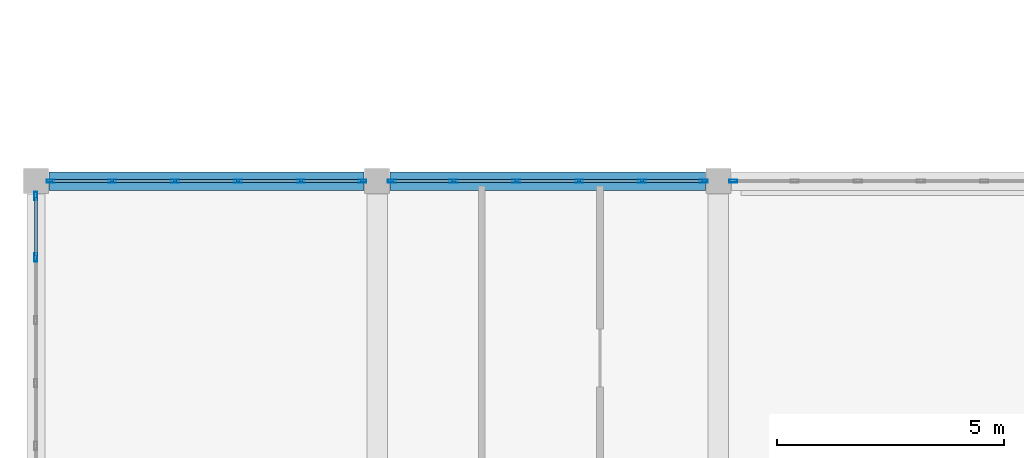
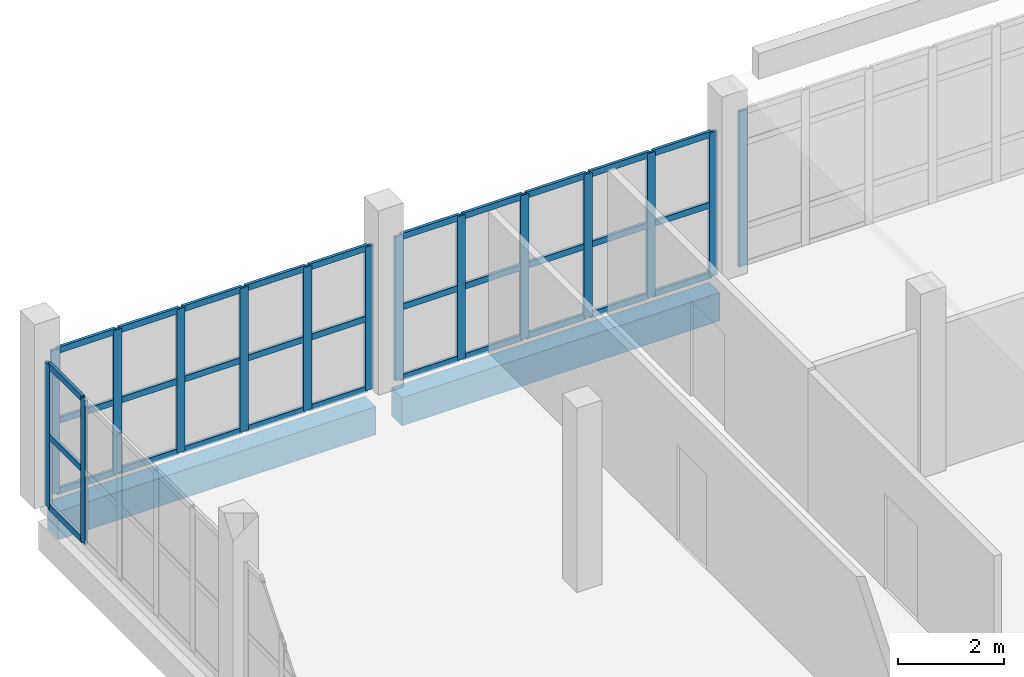
# One storey, part 67 of 164: 48 members, 2 beams, 4 elements without a shape of their own.
"""IFC4 building model written with IfcOpenShell, lengths in metres."""

import ifcopenshell
import ifcopenshell.guid

model = None  # the IFC model being written
_history = None  # IfcOwnerHistory: only IFC2X3 demands one
_inside = {}  # id of a spatial element -> (the spatial element, [elements in it])
_under = {}  # id of a project, library or spatial element -> (it, [spatial elements below it])
_declared = {}  # id of a project -> (the project, [libraries it declares])
_typed = {}  # id of a type object -> (the type object, [elements of that type])
_made_of = {}  # id of a material, layer set ... -> (it, [elements and type objects made of it])


def new_model(schema):
    """Start an empty IFC model of exactly this schema.

    Asked for "IFC4X3", IfcOpenShell would pick the latest addendum, in which some entities
    have other attributes; the version numbers below select the first issue.
    IFC2X3 requires an IfcOwnerHistory on every rooted entity: one is made here for all.
    """
    global model, _history
    if schema == "IFC4X3":
        model = ifcopenshell.file(schema_version=(4, 3, 0, 0))
    else:
        model = ifcopenshell.file(schema=schema)
    _inside.clear()
    _under.clear()
    _declared.clear()
    _typed.clear()
    _made_of.clear()
    _history = None
    if model.schema == "IFC2X3":
        org = make("IfcOrganization", Name="unknown")
        user = make(
            "IfcPersonAndOrganization",
            ThePerson=make("IfcPerson", FamilyName="unknown"),
            TheOrganization=org,
        )
        app = make(
            "IfcApplication",
            ApplicationDeveloper=org,
            Version="unknown",
            ApplicationFullName="unknown",
            ApplicationIdentifier="unknown",
        )
        _history = make(
            "IfcOwnerHistory",
            OwningUser=user,
            OwningApplication=app,
            ChangeAction="ADDED",
            CreationDate=0,
        )
    return model


def make(cls, **values):
    """One entity of the class cls with the attributes given. An attribute that is None is left unset."""
    return model.create_entity(
        cls, **{name: value for name, value in values.items() if value is not None}
    )


def rooted(cls, **values):
    """An entity with a GlobalId (a new one), such as an element, a storey or a relation."""
    return make(cls, GlobalId=ifcopenshell.guid.new(), OwnerHistory=_history, **values)


def si_unit(unit_type, name, prefix=None):
    """IfcSIUnit, for example si_unit("LENGTHUNIT", "METRE", prefix="MILLI")."""
    return make("IfcSIUnit", UnitType=unit_type, Prefix=prefix, Name=name)


def assignment(units):
    """IfcUnitAssignment: the units of a project."""
    return None if units is None else make("IfcUnitAssignment", Units=units)


def point(xyz):
    """IfcCartesianPoint."""
    return None if xyz is None else make("IfcCartesianPoint", Coordinates=xyz)


def direction(xyz):
    """IfcDirection."""
    return None if xyz is None else make("IfcDirection", DirectionRatios=xyz)


def frame(location, z_axis=None, x_axis=None):
    """IfcAxis2Placement3D, a coordinate frame: its origin and axes. An axis left out is left unset."""
    return make(
        "IfcAxis2Placement3D",
        Location=point(location),
        Axis=direction(z_axis),
        RefDirection=direction(x_axis),
    )


def frame_2d(location, x_axis=None):
    """IfcAxis2Placement2D, a coordinate frame in the plane: its origin and x axis."""
    return make(
        "IfcAxis2Placement2D", Location=point(location), RefDirection=direction(x_axis)
    )


def origin():
    """The frame at (0, 0, 0) with its axes left unset."""
    return frame((0.0, 0.0, 0.0))


def origin_2d():
    """The frame at (0, 0) in the plane with its x axis left unset."""
    return frame_2d((0.0, 0.0))


def place(relative_to, where):
    """IfcLocalPlacement: puts the frame where relative to a parent placement (None: the world)."""
    return make(
        "IfcLocalPlacement", PlacementRelTo=relative_to, RelativePlacement=where
    )


def context(
    kind, dimensions, precision=None, world=None, true_north=None, identifier=None
):
    """IfcGeometricRepresentationContext, for example the 3D "Model" context."""
    return make(
        "IfcGeometricRepresentationContext",
        ContextIdentifier=identifier,
        ContextType=kind,
        CoordinateSpaceDimension=dimensions,
        Precision=precision,
        WorldCoordinateSystem=world,
        TrueNorth=true_north,
    )


def subcontext(parent, identifier, kind, view, scale=None):
    """IfcGeometricRepresentationSubContext, for example "Body" below "Model"."""
    return make(
        "IfcGeometricRepresentationSubContext",
        ContextIdentifier=identifier,
        ContextType=kind,
        ParentContext=parent,
        TargetScale=scale,
        TargetView=view,
    )


def project(units=None, contexts=None):
    """IfcProject with its units and contexts."""
    return rooted(
        "IfcProject",
        Name="project",
        RepresentationContexts=contexts,
        UnitsInContext=assignment(units),
    )


def spatial(cls, under=None, at=None, **own):
    """A site, building, storey or space (cls), placed at a placement, below another one or the project."""
    s = rooted(cls, ObjectPlacement=at, **own)
    if under is not None:
        _under.setdefault(under.id(), (under, []))[1].append(s)
    return s


def profile(cls, at=None, kind="AREA", **sizes):
    """A parametric profile (cls). Its sizes go by their IFC names, for example OverallWidth=200.0."""
    return make(cls, ProfileType=kind, Position=at, **sizes)


def rectangle(**sizes):
    """IfcRectangleProfileDef."""
    return profile("IfcRectangleProfileDef", **sizes)


def hollow_rectangle(**sizes):
    """IfcRectangleHollowProfileDef."""
    return profile("IfcRectangleHollowProfileDef", **sizes)


def extrude(swept, where, along, depth):
    """IfcExtrudedAreaSolid: the profile swept, set in the frame where, extruded along a direction by depth."""
    return make(
        "IfcExtrudedAreaSolid",
        SweptArea=swept,
        Position=where,
        ExtrudedDirection=direction(along),
        Depth=depth,
    )


def shape(context_of_items, identifier, shape_type, items):
    """IfcShapeRepresentation: the items that make up one representation, for example the "Body"."""
    return make(
        "IfcShapeRepresentation",
        ContextOfItems=context_of_items,
        RepresentationIdentifier=identifier,
        RepresentationType=shape_type,
        Items=items,
    )


def material(Name=None, Category=None):
    """IfcMaterial."""
    return make("IfcMaterial", Name=Name, Category=Category)


def layer(
    of_material, thickness, ventilated=None, Name=None, Category=None, Priority=None
):
    """IfcMaterialLayer: one layer of a wall or slab, of a material (None: an air gap)."""
    return make(
        "IfcMaterialLayer",
        Material=of_material,
        LayerThickness=thickness,
        IsVentilated=ventilated,
        Name=Name,
        Category=Category,
        Priority=Priority,
    )


def layer_set(layers, Name=None):
    """IfcMaterialLayerSet."""
    return make("IfcMaterialLayerSet", MaterialLayers=layers, LayerSetName=Name)


def material_profile(
    of_material, cross_section, Name=None, Category=None, Priority=None
):
    """IfcMaterialProfile: a cross section and its material."""
    return make(
        "IfcMaterialProfile",
        Name=Name,
        Material=of_material,
        Profile=cross_section,
        Priority=Priority,
        Category=Category,
    )


def profile_set(profiles, Name=None, composite=None):
    """IfcMaterialProfileSet."""
    return make(
        "IfcMaterialProfileSet",
        Name=Name,
        MaterialProfiles=profiles,
        CompositeProfile=composite,
    )


def made_of(thing, what):
    """Note that an element or type object is made of a material, layer set ...; save() writes the relation."""
    if what is not None:
        _made_of.setdefault(what.id(), (what, []))[1].append(thing)
    return thing


def type_object(cls, material=None, **own):
    """A type object (cls), such as IfcWallType, which elements share."""
    return made_of(rooted(cls, **own), material)


def element(
    cls,
    number,
    at=None,
    inside=None,
    cuts=None,
    type_object=None,
    material=None,
    context=None,
    identifier="Body",
    shape_type=None,
    held_by="IfcProductDefinitionShape",
    body=None,
    shapes=None,
    **own,
):
    """One element of the class cls, such as IfcWall. Its Tag is "e" and its number.

    at: its placement. inside: the storey or other place that contains it. cuts: it is an
    opening in that element (IfcRelVoidsElement). A single representation is given by context,
    identifier, shape_type and body (its items); several are given by shapes. held_by: the class
    of the entity that holds the representations. save() writes the other relations.
    """
    e = rooted(cls, Tag="e%d" % number, ObjectPlacement=at, **own)
    if body is not None:
        shapes = [shape(context, identifier, shape_type, body)]
    if shapes is not None:
        e.Representation = make(held_by, Representations=shapes)
    if inside is not None:
        _inside.setdefault(inside.id(), (inside, []))[1].append(e)
    if cuts is not None:
        rooted(
            "IfcRelVoidsElement", RelatingBuildingElement=cuts, RelatedOpeningElement=e
        )
    if type_object is not None:
        _typed.setdefault(type_object.id(), (type_object, []))[1].append(e)
    return made_of(e, material)


def aggregate(whole, parts):
    """IfcRelAggregates: a whole, such as a stair, and the parts it consists of."""
    return rooted("IfcRelAggregates", RelatingObject=whole, RelatedObjects=parts)


def save(model, path):
    """Write the relations noted so far, then the file.

    IfcRelAggregates (storeys below a building ...), IfcRelContainedInSpatialStructure (elements
    in a storey), IfcRelDefinesByType, IfcRelAssociatesMaterial and IfcRelDeclares: one each for
    every whole, place, type object, material and project.
    """
    for whole, parts in _under.values():
        aggregate(whole, parts)
    for where, things in _inside.values():
        rooted(
            "IfcRelContainedInSpatialStructure",
            RelatedElements=things,
            RelatingStructure=where,
        )
    for kind, things in _typed.values():
        rooted("IfcRelDefinesByType", RelatedObjects=things, RelatingType=kind)
    for what, things in _made_of.values():
        rooted("IfcRelAssociatesMaterial", RelatedObjects=things, RelatingMaterial=what)
    for by, libraries in _declared.values():
        rooted("IfcRelDeclares", RelatingContext=by, RelatedDefinitions=libraries)
    model.write(path)


model = new_model("IFC4")

# Units and contexts
model_context = context("Model", 3, precision=1e-05, world=origin(), true_north=direction((0.0, 1.0)))
body_context = subcontext(model_context, "Body", "Model", "MODEL_VIEW")
ifc_project = project(units=[si_unit("LENGTHUNIT", "METRE"), si_unit("AREAUNIT", "SQUARE_METRE"), si_unit("VOLUMEUNIT", "CUBIC_METRE"), si_unit("PLANEANGLEUNIT", "RADIAN"), si_unit("MASSUNIT", "GRAM", prefix="KILO")], contexts=[model_context])

# Site, building, storey
site_placement = place(None, origin())
site = spatial("IfcSite", under=ifc_project, at=site_placement, CompositionType="ELEMENT")
building_placement = place(site_placement, origin())
building = spatial("IfcBuilding", under=site, at=building_placement, Name="Mawjan Specialist Oncology Clinic", CompositionType="ELEMENT")
storey_placement = place(building_placement, frame((0.0, 0.0, 5.0)))
storey = spatial("IfcBuildingStorey", under=building, at=storey_placement, Name="L01", CompositionType="ELEMENT", Elevation=5.0)

# Curtain wall, members
ifc_material_1 = material(Name="Unitised spectrally selective aluminium curtain wall", Category="aluminium")
ifc_layer_1 = layer(ifc_material_1, 0.179931640625, Name="Unitised spectrally selective aluminium curtain wall", Category="aluminium")
ifc_layer_set_1 = layer_set([ifc_layer_1], Name="Unitised spectrally selective aluminium curtain wall")
curtain_wall_type_1 = type_object("IfcCurtainWallType", Name="CW-78", PredefinedType="NOTDEFINED", material=ifc_layer_set_1)
curtain_wall_1_placement = place(storey_placement, origin())
curtain_wall_1 = element("IfcCurtainWall", 1, at=curtain_wall_1_placement, inside=storey, type_object=curtain_wall_type_1, Name="L01 Unitised Curtain Wall CW-L01-151", PredefinedType="NOTDEFINED")
ifc_material_2 = material(Name="Thermally broken aluminium 6063-T6", Category="aluminium")
ifc_material_profile_1 = material_profile(ifc_material_2, hollow_rectangle(XDim=0.06494140625, YDim=0.179931640625, WallThickness=0.00390625, at=origin_2d()), Name="ALU MULLION 180x65x4", Category="aluminium")
ifc_profile_set_1 = profile_set([ifc_material_profile_1], Name="Thermally broken aluminium 6063-T6")
member_type_1 = type_object("IfcMemberType", Name="CW-M180", PredefinedType="MULLION", material=ifc_profile_set_1)
member_1_placement = place(storey_placement, frame((0.0, 74.123046875, 0.0), z_axis=(0.0, 0.0, 1.0), x_axis=(-1.0, 0.0, 0.0)))
member_1 = element("IfcMember", 2, at=member_1_placement, type_object=member_type_1, Name="CW-78 mullion 5", PredefinedType="MULLION", context=body_context, shape_type="SweptSolid", body=[
    extrude(hollow_rectangle(XDim=0.06494140625, YDim=0.179931640625, WallThickness=0.00390625, at=origin_2d()), origin(), (0.0, 0.0, 1.0), 3.31494140625),
])
member_2_placement = place(storey_placement, frame((0.0, 75.472412109375, 0.0), z_axis=(0.0, 0.0, 1.0), x_axis=(-1.0, 0.0, 0.0)))
member_2 = element("IfcMember", 3, at=member_2_placement, type_object=member_type_1, Name="CW-78 mullion 6", PredefinedType="MULLION", context=body_context, shape_type="SweptSolid", body=[
    extrude(hollow_rectangle(XDim=0.06494140625, YDim=0.179931640625, WallThickness=0.00390625, at=origin_2d()), origin(), (0.0, 0.0, 1.0), 3.31494140625),
])

curtain_wall_2_placement = place(storey_placement, origin())
curtain_wall_2 = element("IfcCurtainWall", 4, at=curtain_wall_2_placement, inside=storey, type_object=curtain_wall_type_1, Name="L01 Unitised Curtain Wall CW-L01-152", PredefinedType="NOTDEFINED")
member_3_placement = place(storey_placement, frame((0.327392578125, 75.800048828125, 0.0), z_axis=(0.0, 0.0, 1.0), x_axis=(0.0, 1.0, 0.0)))
member_3 = element("IfcMember", 5, at=member_3_placement, type_object=member_type_1, Name="CW-78 mullion 1", PredefinedType="MULLION", context=body_context, shape_type="SweptSolid", body=[
    extrude(hollow_rectangle(XDim=0.06494140625, YDim=0.179931640625, WallThickness=0.00390625, at=origin_2d()), origin(), (0.0, 0.0, 1.0), 3.31494140625),
])
member_4_placement = place(storey_placement, frame((1.677001953125, 75.800048828125, 0.0), z_axis=(0.0, 0.0, 1.0), x_axis=(0.0, 1.0, 0.0)))
member_4 = element("IfcMember", 6, at=member_4_placement, type_object=member_type_1, Name="CW-78 mullion 2", PredefinedType="MULLION", context=body_context, shape_type="SweptSolid", body=[
    extrude(hollow_rectangle(XDim=0.06494140625, YDim=0.179931640625, WallThickness=0.00390625, at=origin_2d()), origin(), (0.0, 0.0, 1.0), 3.31494140625),
])
member_5_placement = place(storey_placement, frame((3.05908203125, 75.800048828125, 0.0), z_axis=(0.0, 0.0, 1.0), x_axis=(0.0, 1.0, 0.0)))
member_5 = element("IfcMember", 7, at=member_5_placement, type_object=member_type_1, Name="CW-78 mullion 3", PredefinedType="MULLION", context=body_context, shape_type="SweptSolid", body=[
    extrude(hollow_rectangle(XDim=0.06494140625, YDim=0.179931640625, WallThickness=0.00390625, at=origin_2d()), origin(), (0.0, 0.0, 1.0), 3.31494140625),
])
member_6_placement = place(storey_placement, frame((4.44091796875, 75.800048828125, 0.0), z_axis=(0.0, 0.0, 1.0), x_axis=(0.0, 1.0, 0.0)))
member_6 = element("IfcMember", 8, at=member_6_placement, type_object=member_type_1, Name="CW-78 mullion 4", PredefinedType="MULLION", context=body_context, shape_type="SweptSolid", body=[
    extrude(hollow_rectangle(XDim=0.06494140625, YDim=0.179931640625, WallThickness=0.00390625, at=origin_2d()), origin(), (0.0, 0.0, 1.0), 3.31494140625),
])
member_7_placement = place(storey_placement, frame((5.822998046875, 75.800048828125, 0.0), z_axis=(0.0, 0.0, 1.0), x_axis=(0.0, 1.0, 0.0)))
member_7 = element("IfcMember", 9, at=member_7_placement, type_object=member_type_1, Name="CW-78 mullion 5", PredefinedType="MULLION", context=body_context, shape_type="SweptSolid", body=[
    extrude(hollow_rectangle(XDim=0.06494140625, YDim=0.179931640625, WallThickness=0.00390625, at=origin_2d()), origin(), (0.0, 0.0, 1.0), 3.31494140625),
])
member_8_placement = place(storey_placement, frame((7.172607421875, 75.800048828125, 0.0), z_axis=(0.0, 0.0, 1.0), x_axis=(0.0, 1.0, 0.0)))
member_8 = element("IfcMember", 10, at=member_8_placement, type_object=member_type_1, Name="CW-78 mullion 6", PredefinedType="MULLION", context=body_context, shape_type="SweptSolid", body=[
    extrude(hollow_rectangle(XDim=0.06494140625, YDim=0.179931640625, WallThickness=0.00390625, at=origin_2d()), origin(), (0.0, 0.0, 1.0), 3.31494140625),
])

curtain_wall_3_placement = place(storey_placement, origin())
curtain_wall_3 = element("IfcCurtainWall", 11, at=curtain_wall_3_placement, inside=storey, type_object=curtain_wall_type_1, Name="L01 Unitised Curtain Wall CW-L01-153", PredefinedType="NOTDEFINED")
member_9_placement = place(storey_placement, frame((7.827392578125, 75.800048828125, 0.0), z_axis=(0.0, 0.0, 1.0), x_axis=(0.0, 1.0, 0.0)))
member_9 = element("IfcMember", 12, at=member_9_placement, type_object=member_type_1, Name="CW-78 mullion 1", PredefinedType="MULLION", context=body_context, shape_type="SweptSolid", body=[
    extrude(hollow_rectangle(XDim=0.06494140625, YDim=0.179931640625, WallThickness=0.00390625, at=origin_2d()), origin(), (0.0, 0.0, 1.0), 3.31494140625),
])
member_10_placement = place(storey_placement, frame((9.177001953125, 75.800048828125, 0.0), z_axis=(0.0, 0.0, 1.0), x_axis=(0.0, 1.0, 0.0)))
member_10 = element("IfcMember", 13, at=member_10_placement, type_object=member_type_1, Name="CW-78 mullion 2", PredefinedType="MULLION", context=body_context, shape_type="SweptSolid", body=[
    extrude(hollow_rectangle(XDim=0.06494140625, YDim=0.179931640625, WallThickness=0.00390625, at=origin_2d()), origin(), (0.0, 0.0, 1.0), 3.31494140625),
])
member_11_placement = place(storey_placement, frame((10.55908203125, 75.800048828125, 0.0), z_axis=(0.0, 0.0, 1.0), x_axis=(0.0, 1.0, 0.0)))
member_11 = element("IfcMember", 14, at=member_11_placement, type_object=member_type_1, Name="CW-78 mullion 3", PredefinedType="MULLION", context=body_context, shape_type="SweptSolid", body=[
    extrude(hollow_rectangle(XDim=0.06494140625, YDim=0.179931640625, WallThickness=0.00390625, at=origin_2d()), origin(), (0.0, 0.0, 1.0), 3.31494140625),
])
member_12_placement = place(storey_placement, frame((11.94091796875, 75.800048828125, 0.0), z_axis=(0.0, 0.0, 1.0), x_axis=(0.0, 1.0, 0.0)))
member_12 = element("IfcMember", 15, at=member_12_placement, type_object=member_type_1, Name="CW-78 mullion 4", PredefinedType="MULLION", context=body_context, shape_type="SweptSolid", body=[
    extrude(hollow_rectangle(XDim=0.06494140625, YDim=0.179931640625, WallThickness=0.00390625, at=origin_2d()), origin(), (0.0, 0.0, 1.0), 3.31494140625),
])
member_13_placement = place(storey_placement, frame((13.322998046875, 75.800048828125, 0.0), z_axis=(0.0, 0.0, 1.0), x_axis=(0.0, 1.0, 0.0)))
member_13 = element("IfcMember", 16, at=member_13_placement, type_object=member_type_1, Name="CW-78 mullion 5", PredefinedType="MULLION", context=body_context, shape_type="SweptSolid", body=[
    extrude(hollow_rectangle(XDim=0.06494140625, YDim=0.179931640625, WallThickness=0.00390625, at=origin_2d()), origin(), (0.0, 0.0, 1.0), 3.31494140625),
])
member_14_placement = place(storey_placement, frame((14.672607421875, 75.800048828125, 0.0), z_axis=(0.0, 0.0, 1.0), x_axis=(0.0, 1.0, 0.0)))
member_14 = element("IfcMember", 17, at=member_14_placement, type_object=member_type_1, Name="CW-78 mullion 6", PredefinedType="MULLION", context=body_context, shape_type="SweptSolid", body=[
    extrude(hollow_rectangle(XDim=0.06494140625, YDim=0.179931640625, WallThickness=0.00390625, at=origin_2d()), origin(), (0.0, 0.0, 1.0), 3.31494140625),
])

# Curtain wall, member
ifc_material_3 = material(Name="Unitised spectrally selective aluminium curtain wall", Category="aluminium")
ifc_layer_2 = layer(ifc_material_3, 0.179931640625, Name="Unitised spectrally selective aluminium curtain wall", Category="aluminium")
ifc_layer_set_2 = layer_set([ifc_layer_2], Name="Unitised spectrally selective aluminium curtain wall")
curtain_wall_type_2 = type_object("IfcCurtainWallType", Name="CW-79", PredefinedType="NOTDEFINED", material=ifc_layer_set_2)
curtain_wall_4_placement = place(storey_placement, origin())
curtain_wall_4 = element("IfcCurtainWall", 18, at=curtain_wall_4_placement, inside=storey, type_object=curtain_wall_type_2, Name="L01 Unitised Curtain Wall CW-L01-154", PredefinedType="NOTDEFINED")
member_15_placement = place(storey_placement, frame((15.327392578125, 75.800048828125, 0.0), z_axis=(0.0, 0.0, 1.0), x_axis=(0.0, 1.0, 0.0)))
member_15 = element("IfcMember", 19, at=member_15_placement, type_object=member_type_1, Name="CW-79 mullion 1", PredefinedType="MULLION", context=body_context, shape_type="SweptSolid", body=[
    extrude(hollow_rectangle(XDim=0.06494140625, YDim=0.179931640625, WallThickness=0.00390625, at=origin_2d()), origin(), (0.0, 0.0, 1.0), 3.5849609375),
])
aggregate(curtain_wall_4, [member_15])

# Member
ifc_material_4 = material(Name="Thermally broken aluminium 6063-T6", Category="aluminium")
ifc_material_profile_2 = material_profile(ifc_material_4, hollow_rectangle(XDim=0.06494140625, YDim=0.139892578125, WallThickness=0.00390625, at=origin_2d()), Name="ALU TRANSOM 140x65x4", Category="aluminium")
ifc_profile_set_2 = profile_set([ifc_material_profile_2], Name="Thermally broken aluminium 6063-T6")
member_type_2 = type_object("IfcMemberType", Name="CW-T140", PredefinedType="USERDEFINED", material=ifc_profile_set_2)
member_16_placement = place(storey_placement, frame((0.0, 74.155517578125, 0.032470703125), z_axis=(0.0, 1.0, 0.0), x_axis=(-1.0, 0.0, 0.0)))
member_16 = element("IfcMember", 20, at=member_16_placement, type_object=member_type_2, Name="CW-78 transom 5.1", ObjectType="TRANSOM", PredefinedType="USERDEFINED", context=body_context, shape_type="SweptSolid", body=[
    extrude(hollow_rectangle(XDim=0.06494140625, YDim=0.139892578125, WallThickness=0.00390625, at=origin_2d()), origin(), (0.0, 0.0, 1.0), 1.284423828125),
])

member_17_placement = place(storey_placement, frame((0.0, 74.155517578125, 1.657470703125), z_axis=(0.0, 1.0, 0.0), x_axis=(-1.0, 0.0, 0.0)))
member_17 = element("IfcMember", 21, at=member_17_placement, type_object=member_type_2, Name="CW-78 transom 5.2", ObjectType="TRANSOM", PredefinedType="USERDEFINED", context=body_context, shape_type="SweptSolid", body=[
    extrude(hollow_rectangle(XDim=0.06494140625, YDim=0.139892578125, WallThickness=0.00390625, at=origin_2d()), origin(), (0.0, 0.0, 1.0), 1.284423828125),
])

member_18_placement = place(storey_placement, frame((0.0, 74.155517578125, 3.282470703125), z_axis=(0.0, 1.0, 0.0), x_axis=(-1.0, 0.0, 0.0)))
member_18 = element("IfcMember", 22, at=member_18_placement, type_object=member_type_2, Name="CW-78 transom 5.3", ObjectType="TRANSOM", PredefinedType="USERDEFINED", context=body_context, shape_type="SweptSolid", body=[
    extrude(hollow_rectangle(XDim=0.06494140625, YDim=0.139892578125, WallThickness=0.00390625, at=origin_2d()), origin(), (0.0, 0.0, 1.0), 1.284423828125),
])

aggregate(curtain_wall_1, [member_1, member_2, member_16, member_17, member_18])

member_19_placement = place(storey_placement, frame((0.360107421875, 75.800048828125, 0.032470703125), z_axis=(1.0, 0.0, 0.0), x_axis=(0.0, 1.0, 0.0)))
member_19 = element("IfcMember", 23, at=member_19_placement, type_object=member_type_2, Name="CW-78 transom 1.1", ObjectType="TRANSOM", PredefinedType="USERDEFINED", context=body_context, shape_type="SweptSolid", body=[
    extrude(hollow_rectangle(XDim=0.06494140625, YDim=0.139892578125, WallThickness=0.00390625, at=origin_2d()), origin(), (0.0, 0.0, 1.0), 1.284423828125),
])

member_20_placement = place(storey_placement, frame((0.360107421875, 75.800048828125, 1.657470703125), z_axis=(1.0, 0.0, 0.0), x_axis=(0.0, 1.0, 0.0)))
member_20 = element("IfcMember", 24, at=member_20_placement, type_object=member_type_2, Name="CW-78 transom 1.2", ObjectType="TRANSOM", PredefinedType="USERDEFINED", context=body_context, shape_type="SweptSolid", body=[
    extrude(hollow_rectangle(XDim=0.06494140625, YDim=0.139892578125, WallThickness=0.00390625, at=origin_2d()), origin(), (0.0, 0.0, 1.0), 1.284423828125),
])

member_21_placement = place(storey_placement, frame((0.360107421875, 75.800048828125, 3.282470703125), z_axis=(1.0, 0.0, 0.0), x_axis=(0.0, 1.0, 0.0)))
member_21 = element("IfcMember", 25, at=member_21_placement, type_object=member_type_2, Name="CW-78 transom 1.3", ObjectType="TRANSOM", PredefinedType="USERDEFINED", context=body_context, shape_type="SweptSolid", body=[
    extrude(hollow_rectangle(XDim=0.06494140625, YDim=0.139892578125, WallThickness=0.00390625, at=origin_2d()), origin(), (0.0, 0.0, 1.0), 1.284423828125),
])

member_22_placement = place(storey_placement, frame((1.70947265625, 75.800048828125, 0.032470703125), z_axis=(1.0, 0.0, 0.0), x_axis=(0.0, 1.0, 0.0)))
member_22 = element("IfcMember", 26, at=member_22_placement, type_object=member_type_2, Name="CW-78 transom 2.1", ObjectType="TRANSOM", PredefinedType="USERDEFINED", context=body_context, shape_type="SweptSolid", body=[
    extrude(hollow_rectangle(XDim=0.06494140625, YDim=0.139892578125, WallThickness=0.00390625, at=origin_2d()), origin(), (0.0, 0.0, 1.0), 1.317138671875),
])

member_23_placement = place(storey_placement, frame((1.70947265625, 75.800048828125, 1.657470703125), z_axis=(1.0, 0.0, 0.0), x_axis=(0.0, 1.0, 0.0)))
member_23 = element("IfcMember", 27, at=member_23_placement, type_object=member_type_2, Name="CW-78 transom 2.2", ObjectType="TRANSOM", PredefinedType="USERDEFINED", context=body_context, shape_type="SweptSolid", body=[
    extrude(hollow_rectangle(XDim=0.06494140625, YDim=0.139892578125, WallThickness=0.00390625, at=origin_2d()), origin(), (0.0, 0.0, 1.0), 1.317138671875),
])

member_24_placement = place(storey_placement, frame((1.70947265625, 75.800048828125, 3.282470703125), z_axis=(1.0, 0.0, 0.0), x_axis=(0.0, 1.0, 0.0)))
member_24 = element("IfcMember", 28, at=member_24_placement, type_object=member_type_2, Name="CW-78 transom 2.3", ObjectType="TRANSOM", PredefinedType="USERDEFINED", context=body_context, shape_type="SweptSolid", body=[
    extrude(hollow_rectangle(XDim=0.06494140625, YDim=0.139892578125, WallThickness=0.00390625, at=origin_2d()), origin(), (0.0, 0.0, 1.0), 1.317138671875),
])

member_25_placement = place(storey_placement, frame((3.091552734375, 75.800048828125, 0.032470703125), z_axis=(1.0, 0.0, 0.0), x_axis=(0.0, 1.0, 0.0)))
member_25 = element("IfcMember", 29, at=member_25_placement, type_object=member_type_2, Name="CW-78 transom 3.1", ObjectType="TRANSOM", PredefinedType="USERDEFINED", context=body_context, shape_type="SweptSolid", body=[
    extrude(hollow_rectangle(XDim=0.06494140625, YDim=0.139892578125, WallThickness=0.00390625, at=origin_2d()), origin(), (0.0, 0.0, 1.0), 1.31689453125),
])

member_26_placement = place(storey_placement, frame((3.091552734375, 75.800048828125, 1.657470703125), z_axis=(1.0, 0.0, 0.0), x_axis=(0.0, 1.0, 0.0)))
member_26 = element("IfcMember", 30, at=member_26_placement, type_object=member_type_2, Name="CW-78 transom 3.2", ObjectType="TRANSOM", PredefinedType="USERDEFINED", context=body_context, shape_type="SweptSolid", body=[
    extrude(hollow_rectangle(XDim=0.06494140625, YDim=0.139892578125, WallThickness=0.00390625, at=origin_2d()), origin(), (0.0, 0.0, 1.0), 1.31689453125),
])

member_27_placement = place(storey_placement, frame((3.091552734375, 75.800048828125, 3.282470703125), z_axis=(1.0, 0.0, 0.0), x_axis=(0.0, 1.0, 0.0)))
member_27 = element("IfcMember", 31, at=member_27_placement, type_object=member_type_2, Name="CW-78 transom 3.3", ObjectType="TRANSOM", PredefinedType="USERDEFINED", context=body_context, shape_type="SweptSolid", body=[
    extrude(hollow_rectangle(XDim=0.06494140625, YDim=0.139892578125, WallThickness=0.00390625, at=origin_2d()), origin(), (0.0, 0.0, 1.0), 1.31689453125),
])

member_28_placement = place(storey_placement, frame((4.473388671875, 75.800048828125, 0.032470703125), z_axis=(1.0, 0.0, 0.0), x_axis=(0.0, 1.0, 0.0)))
member_28 = element("IfcMember", 32, at=member_28_placement, type_object=member_type_2, Name="CW-78 transom 4.1", ObjectType="TRANSOM", PredefinedType="USERDEFINED", context=body_context, shape_type="SweptSolid", body=[
    extrude(hollow_rectangle(XDim=0.06494140625, YDim=0.139892578125, WallThickness=0.00390625, at=origin_2d()), origin(), (0.0, 0.0, 1.0), 1.317138671875),
])

member_29_placement = place(storey_placement, frame((4.473388671875, 75.800048828125, 1.657470703125), z_axis=(1.0, 0.0, 0.0), x_axis=(0.0, 1.0, 0.0)))
member_29 = element("IfcMember", 33, at=member_29_placement, type_object=member_type_2, Name="CW-78 transom 4.2", ObjectType="TRANSOM", PredefinedType="USERDEFINED", context=body_context, shape_type="SweptSolid", body=[
    extrude(hollow_rectangle(XDim=0.06494140625, YDim=0.139892578125, WallThickness=0.00390625, at=origin_2d()), origin(), (0.0, 0.0, 1.0), 1.317138671875),
])

member_30_placement = place(storey_placement, frame((4.473388671875, 75.800048828125, 3.282470703125), z_axis=(1.0, 0.0, 0.0), x_axis=(0.0, 1.0, 0.0)))
member_30 = element("IfcMember", 34, at=member_30_placement, type_object=member_type_2, Name="CW-78 transom 4.3", ObjectType="TRANSOM", PredefinedType="USERDEFINED", context=body_context, shape_type="SweptSolid", body=[
    extrude(hollow_rectangle(XDim=0.06494140625, YDim=0.139892578125, WallThickness=0.00390625, at=origin_2d()), origin(), (0.0, 0.0, 1.0), 1.317138671875),
])

member_31_placement = place(storey_placement, frame((5.85546875, 75.800048828125, 0.032470703125), z_axis=(1.0, 0.0, 0.0), x_axis=(0.0, 1.0, 0.0)))
member_31 = element("IfcMember", 35, at=member_31_placement, type_object=member_type_2, Name="CW-78 transom 5.1", ObjectType="TRANSOM", PredefinedType="USERDEFINED", context=body_context, shape_type="SweptSolid", body=[
    extrude(hollow_rectangle(XDim=0.06494140625, YDim=0.139892578125, WallThickness=0.00390625, at=origin_2d()), origin(), (0.0, 0.0, 1.0), 1.284423828125),
])

member_32_placement = place(storey_placement, frame((5.85546875, 75.800048828125, 1.657470703125), z_axis=(1.0, 0.0, 0.0), x_axis=(0.0, 1.0, 0.0)))
member_32 = element("IfcMember", 36, at=member_32_placement, type_object=member_type_2, Name="CW-78 transom 5.2", ObjectType="TRANSOM", PredefinedType="USERDEFINED", context=body_context, shape_type="SweptSolid", body=[
    extrude(hollow_rectangle(XDim=0.06494140625, YDim=0.139892578125, WallThickness=0.00390625, at=origin_2d()), origin(), (0.0, 0.0, 1.0), 1.284423828125),
])

member_33_placement = place(storey_placement, frame((5.85546875, 75.800048828125, 3.282470703125), z_axis=(1.0, 0.0, 0.0), x_axis=(0.0, 1.0, 0.0)))
member_33 = element("IfcMember", 37, at=member_33_placement, type_object=member_type_2, Name="CW-78 transom 5.3", ObjectType="TRANSOM", PredefinedType="USERDEFINED", context=body_context, shape_type="SweptSolid", body=[
    extrude(hollow_rectangle(XDim=0.06494140625, YDim=0.139892578125, WallThickness=0.00390625, at=origin_2d()), origin(), (0.0, 0.0, 1.0), 1.284423828125),
])

aggregate(curtain_wall_2, [member_3, member_4, member_5, member_6, member_7, member_8, member_19, member_20, member_21, member_22, member_23, member_24, member_25, member_26, member_27, member_28, member_29, member_30, member_31, member_32, member_33])

member_34_placement = place(storey_placement, frame((7.860107421875, 75.800048828125, 0.032470703125), z_axis=(1.0, 0.0, 0.0), x_axis=(0.0, 1.0, 0.0)))
member_34 = element("IfcMember", 38, at=member_34_placement, type_object=member_type_2, Name="CW-78 transom 1.1", ObjectType="TRANSOM", PredefinedType="USERDEFINED", context=body_context, shape_type="SweptSolid", body=[
    extrude(hollow_rectangle(XDim=0.06494140625, YDim=0.139892578125, WallThickness=0.00390625, at=origin_2d()), origin(), (0.0, 0.0, 1.0), 1.284423828125),
])

member_35_placement = place(storey_placement, frame((7.860107421875, 75.800048828125, 1.657470703125), z_axis=(1.0, 0.0, 0.0), x_axis=(0.0, 1.0, 0.0)))
member_35 = element("IfcMember", 39, at=member_35_placement, type_object=member_type_2, Name="CW-78 transom 1.2", ObjectType="TRANSOM", PredefinedType="USERDEFINED", context=body_context, shape_type="SweptSolid", body=[
    extrude(hollow_rectangle(XDim=0.06494140625, YDim=0.139892578125, WallThickness=0.00390625, at=origin_2d()), origin(), (0.0, 0.0, 1.0), 1.284423828125),
])

member_36_placement = place(storey_placement, frame((7.860107421875, 75.800048828125, 3.282470703125), z_axis=(1.0, 0.0, 0.0), x_axis=(0.0, 1.0, 0.0)))
member_36 = element("IfcMember", 40, at=member_36_placement, type_object=member_type_2, Name="CW-78 transom 1.3", ObjectType="TRANSOM", PredefinedType="USERDEFINED", context=body_context, shape_type="SweptSolid", body=[
    extrude(hollow_rectangle(XDim=0.06494140625, YDim=0.139892578125, WallThickness=0.00390625, at=origin_2d()), origin(), (0.0, 0.0, 1.0), 1.284423828125),
])

member_37_placement = place(storey_placement, frame((9.20947265625, 75.800048828125, 0.032470703125), z_axis=(1.0, 0.0, 0.0), x_axis=(0.0, 1.0, 0.0)))
member_37 = element("IfcMember", 41, at=member_37_placement, type_object=member_type_2, Name="CW-78 transom 2.1", ObjectType="TRANSOM", PredefinedType="USERDEFINED", context=body_context, shape_type="SweptSolid", body=[
    extrude(hollow_rectangle(XDim=0.06494140625, YDim=0.139892578125, WallThickness=0.00390625, at=origin_2d()), origin(), (0.0, 0.0, 1.0), 1.317138671875),
])

member_38_placement = place(storey_placement, frame((9.20947265625, 75.800048828125, 1.657470703125), z_axis=(1.0, 0.0, 0.0), x_axis=(0.0, 1.0, 0.0)))
member_38 = element("IfcMember", 42, at=member_38_placement, type_object=member_type_2, Name="CW-78 transom 2.2", ObjectType="TRANSOM", PredefinedType="USERDEFINED", context=body_context, shape_type="SweptSolid", body=[
    extrude(hollow_rectangle(XDim=0.06494140625, YDim=0.139892578125, WallThickness=0.00390625, at=origin_2d()), origin(), (0.0, 0.0, 1.0), 1.317138671875),
])

member_39_placement = place(storey_placement, frame((9.20947265625, 75.800048828125, 3.282470703125), z_axis=(1.0, 0.0, 0.0), x_axis=(0.0, 1.0, 0.0)))
member_39 = element("IfcMember", 43, at=member_39_placement, type_object=member_type_2, Name="CW-78 transom 2.3", ObjectType="TRANSOM", PredefinedType="USERDEFINED", context=body_context, shape_type="SweptSolid", body=[
    extrude(hollow_rectangle(XDim=0.06494140625, YDim=0.139892578125, WallThickness=0.00390625, at=origin_2d()), origin(), (0.0, 0.0, 1.0), 1.317138671875),
])

member_40_placement = place(storey_placement, frame((10.591552734375, 75.800048828125, 0.032470703125), z_axis=(1.0, 0.0, 0.0), x_axis=(0.0, 1.0, 0.0)))
member_40 = element("IfcMember", 44, at=member_40_placement, type_object=member_type_2, Name="CW-78 transom 3.1", ObjectType="TRANSOM", PredefinedType="USERDEFINED", context=body_context, shape_type="SweptSolid", body=[
    extrude(hollow_rectangle(XDim=0.06494140625, YDim=0.139892578125, WallThickness=0.00390625, at=origin_2d()), origin(), (0.0, 0.0, 1.0), 1.31689453125),
])

member_41_placement = place(storey_placement, frame((10.591552734375, 75.800048828125, 1.657470703125), z_axis=(1.0, 0.0, 0.0), x_axis=(0.0, 1.0, 0.0)))
member_41 = element("IfcMember", 45, at=member_41_placement, type_object=member_type_2, Name="CW-78 transom 3.2", ObjectType="TRANSOM", PredefinedType="USERDEFINED", context=body_context, shape_type="SweptSolid", body=[
    extrude(hollow_rectangle(XDim=0.06494140625, YDim=0.139892578125, WallThickness=0.00390625, at=origin_2d()), origin(), (0.0, 0.0, 1.0), 1.31689453125),
])

member_42_placement = place(storey_placement, frame((10.591552734375, 75.800048828125, 3.282470703125), z_axis=(1.0, 0.0, 0.0), x_axis=(0.0, 1.0, 0.0)))
member_42 = element("IfcMember", 46, at=member_42_placement, type_object=member_type_2, Name="CW-78 transom 3.3", ObjectType="TRANSOM", PredefinedType="USERDEFINED", context=body_context, shape_type="SweptSolid", body=[
    extrude(hollow_rectangle(XDim=0.06494140625, YDim=0.139892578125, WallThickness=0.00390625, at=origin_2d()), origin(), (0.0, 0.0, 1.0), 1.31689453125),
])

member_43_placement = place(storey_placement, frame((11.973388671875, 75.800048828125, 0.032470703125), z_axis=(1.0, 0.0, 0.0), x_axis=(0.0, 1.0, 0.0)))
member_43 = element("IfcMember", 47, at=member_43_placement, type_object=member_type_2, Name="CW-78 transom 4.1", ObjectType="TRANSOM", PredefinedType="USERDEFINED", context=body_context, shape_type="SweptSolid", body=[
    extrude(hollow_rectangle(XDim=0.06494140625, YDim=0.139892578125, WallThickness=0.00390625, at=origin_2d()), origin(), (0.0, 0.0, 1.0), 1.317138671875),
])

member_44_placement = place(storey_placement, frame((11.973388671875, 75.800048828125, 1.657470703125), z_axis=(1.0, 0.0, 0.0), x_axis=(0.0, 1.0, 0.0)))
member_44 = element("IfcMember", 48, at=member_44_placement, type_object=member_type_2, Name="CW-78 transom 4.2", ObjectType="TRANSOM", PredefinedType="USERDEFINED", context=body_context, shape_type="SweptSolid", body=[
    extrude(hollow_rectangle(XDim=0.06494140625, YDim=0.139892578125, WallThickness=0.00390625, at=origin_2d()), origin(), (0.0, 0.0, 1.0), 1.317138671875),
])

member_45_placement = place(storey_placement, frame((11.973388671875, 75.800048828125, 3.282470703125), z_axis=(1.0, 0.0, 0.0), x_axis=(0.0, 1.0, 0.0)))
member_45 = element("IfcMember", 49, at=member_45_placement, type_object=member_type_2, Name="CW-78 transom 4.3", ObjectType="TRANSOM", PredefinedType="USERDEFINED", context=body_context, shape_type="SweptSolid", body=[
    extrude(hollow_rectangle(XDim=0.06494140625, YDim=0.139892578125, WallThickness=0.00390625, at=origin_2d()), origin(), (0.0, 0.0, 1.0), 1.317138671875),
])

member_46_placement = place(storey_placement, frame((13.35546875, 75.800048828125, 0.032470703125), z_axis=(1.0, 0.0, 0.0), x_axis=(0.0, 1.0, 0.0)))
member_46 = element("IfcMember", 50, at=member_46_placement, type_object=member_type_2, Name="CW-78 transom 5.1", ObjectType="TRANSOM", PredefinedType="USERDEFINED", context=body_context, shape_type="SweptSolid", body=[
    extrude(hollow_rectangle(XDim=0.06494140625, YDim=0.139892578125, WallThickness=0.00390625, at=origin_2d()), origin(), (0.0, 0.0, 1.0), 1.284423828125),
])

member_47_placement = place(storey_placement, frame((13.35546875, 75.800048828125, 1.657470703125), z_axis=(1.0, 0.0, 0.0), x_axis=(0.0, 1.0, 0.0)))
member_47 = element("IfcMember", 51, at=member_47_placement, type_object=member_type_2, Name="CW-78 transom 5.2", ObjectType="TRANSOM", PredefinedType="USERDEFINED", context=body_context, shape_type="SweptSolid", body=[
    extrude(hollow_rectangle(XDim=0.06494140625, YDim=0.139892578125, WallThickness=0.00390625, at=origin_2d()), origin(), (0.0, 0.0, 1.0), 1.284423828125),
])

member_48_placement = place(storey_placement, frame((13.35546875, 75.800048828125, 3.282470703125), z_axis=(1.0, 0.0, 0.0), x_axis=(0.0, 1.0, 0.0)))
member_48 = element("IfcMember", 52, at=member_48_placement, type_object=member_type_2, Name="CW-78 transom 5.3", ObjectType="TRANSOM", PredefinedType="USERDEFINED", context=body_context, shape_type="SweptSolid", body=[
    extrude(hollow_rectangle(XDim=0.06494140625, YDim=0.139892578125, WallThickness=0.00390625, at=origin_2d()), origin(), (0.0, 0.0, 1.0), 1.284423828125),
])

aggregate(curtain_wall_3, [member_9, member_10, member_11, member_12, member_13, member_14, member_34, member_35, member_36, member_37, member_38, member_39, member_40, member_41, member_42, member_43, member_44, member_45, member_46, member_47, member_48])

# Beams
ifc_material_5 = material(Name="Concrete C45/55", Category="concrete")
ifc_material_profile_3 = material_profile(ifc_material_5, rectangle(XDim=0.39990234375, YDim=0.64990234375, at=origin_2d()), Name="RC BM 400x650", Category="concrete")
ifc_profile_set_3 = profile_set([ifc_material_profile_3], Name="Concrete C45/55")
beam_type = type_object("IfcBeamType", Name="SP-400x650", PredefinedType="SPANDREL", material=ifc_profile_set_3)
for number, where, z_axis, x_axis, name in (
    (53, (0.284912109375, 75.800048828125, -0.625), (1.0, 0.0, 0.0), (0.0, 1.0, 0.0), "L01 Spandrel Beam BM-L01-0319"),
    (54, (7.784912109375, 75.800048828125, -0.625), (1.0, 0.0, 0.0), (0.0, 1.0, 0.0), "L01 Spandrel Beam BM-L01-0320"),
):
    element("IfcBeam", number, at=place(storey_placement, frame(where, z_axis=z_axis, x_axis=x_axis)), inside=storey, type_object=beam_type, Name=name, PredefinedType="SPANDREL", context=body_context, shape_type="SweptSolid", body=[
        extrude(rectangle(XDim=0.39990234375, YDim=0.64990234375, at=origin_2d()), origin(), (0.0, 0.0, 1.0), 6.93017578125),
    ])

save(model, "model.ifc")
